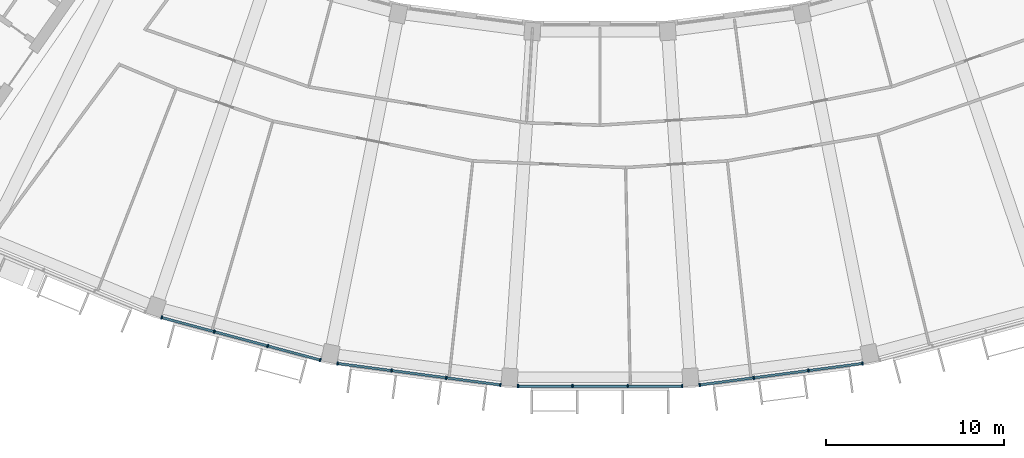
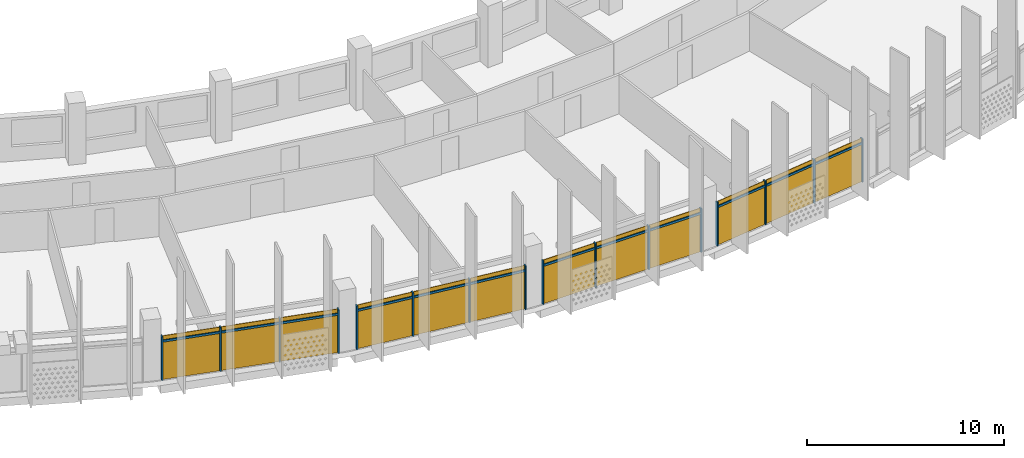
# One storey, part 19 of 28: 28 members, 4 curtain walls.
"""IFC4 building model written with IfcOpenShell, lengths in metres."""

import ifcopenshell
import ifcopenshell.guid

model = None  # the IFC model being written
_history = None  # IfcOwnerHistory: only IFC2X3 demands one
_inside = {}  # id of a spatial element -> (the spatial element, [elements in it])
_under = {}  # id of a project, library or spatial element -> (it, [spatial elements below it])
_declared = {}  # id of a project -> (the project, [libraries it declares])
_typed = {}  # id of a type object -> (the type object, [elements of that type])
_made_of = {}  # id of a material, layer set ... -> (it, [elements and type objects made of it])


def new_model(schema):
    """Start an empty IFC model of exactly this schema.

    Asked for "IFC4X3", IfcOpenShell would pick the latest addendum, in which some entities
    have other attributes; the version numbers below select the first issue.
    IFC2X3 requires an IfcOwnerHistory on every rooted entity: one is made here for all.
    """
    global model, _history
    if schema == "IFC4X3":
        model = ifcopenshell.file(schema_version=(4, 3, 0, 0))
    else:
        model = ifcopenshell.file(schema=schema)
    _inside.clear()
    _under.clear()
    _declared.clear()
    _typed.clear()
    _made_of.clear()
    _history = None
    if model.schema == "IFC2X3":
        org = make("IfcOrganization", Name="unknown")
        user = make(
            "IfcPersonAndOrganization",
            ThePerson=make("IfcPerson", FamilyName="unknown"),
            TheOrganization=org,
        )
        app = make(
            "IfcApplication",
            ApplicationDeveloper=org,
            Version="unknown",
            ApplicationFullName="unknown",
            ApplicationIdentifier="unknown",
        )
        _history = make(
            "IfcOwnerHistory",
            OwningUser=user,
            OwningApplication=app,
            ChangeAction="ADDED",
            CreationDate=0,
        )
    return model


def make(cls, **values):
    """One entity of the class cls with the attributes given. An attribute that is None is left unset."""
    return model.create_entity(
        cls, **{name: value for name, value in values.items() if value is not None}
    )


def rooted(cls, **values):
    """An entity with a GlobalId (a new one), such as an element, a storey or a relation."""
    return make(cls, GlobalId=ifcopenshell.guid.new(), OwnerHistory=_history, **values)


def si_unit(unit_type, name, prefix=None):
    """IfcSIUnit, for example si_unit("LENGTHUNIT", "METRE", prefix="MILLI")."""
    return make("IfcSIUnit", UnitType=unit_type, Prefix=prefix, Name=name)


def assignment(units):
    """IfcUnitAssignment: the units of a project."""
    return None if units is None else make("IfcUnitAssignment", Units=units)


def point(xyz):
    """IfcCartesianPoint."""
    return None if xyz is None else make("IfcCartesianPoint", Coordinates=xyz)


def direction(xyz):
    """IfcDirection."""
    return None if xyz is None else make("IfcDirection", DirectionRatios=xyz)


def frame(location, z_axis=None, x_axis=None):
    """IfcAxis2Placement3D, a coordinate frame: its origin and axes. An axis left out is left unset."""
    return make(
        "IfcAxis2Placement3D",
        Location=point(location),
        Axis=direction(z_axis),
        RefDirection=direction(x_axis),
    )


def frame_2d(location, x_axis=None):
    """IfcAxis2Placement2D, a coordinate frame in the plane: its origin and x axis."""
    return make(
        "IfcAxis2Placement2D", Location=point(location), RefDirection=direction(x_axis)
    )


def origin():
    """The frame at (0, 0, 0) with its axes left unset."""
    return frame((0.0, 0.0, 0.0))


def origin_2d():
    """The frame at (0, 0) in the plane with its x axis left unset."""
    return frame_2d((0.0, 0.0))


def place(relative_to, where):
    """IfcLocalPlacement: puts the frame where relative to a parent placement (None: the world)."""
    return make(
        "IfcLocalPlacement", PlacementRelTo=relative_to, RelativePlacement=where
    )


def context(
    kind, dimensions, precision=None, world=None, true_north=None, identifier=None
):
    """IfcGeometricRepresentationContext, for example the 3D "Model" context."""
    return make(
        "IfcGeometricRepresentationContext",
        ContextIdentifier=identifier,
        ContextType=kind,
        CoordinateSpaceDimension=dimensions,
        Precision=precision,
        WorldCoordinateSystem=world,
        TrueNorth=true_north,
    )


def subcontext(parent, identifier, kind, view, scale=None):
    """IfcGeometricRepresentationSubContext, for example "Body" below "Model"."""
    return make(
        "IfcGeometricRepresentationSubContext",
        ContextIdentifier=identifier,
        ContextType=kind,
        ParentContext=parent,
        TargetScale=scale,
        TargetView=view,
    )


def project(units=None, contexts=None):
    """IfcProject with its units and contexts."""
    return rooted(
        "IfcProject",
        Name="project",
        RepresentationContexts=contexts,
        UnitsInContext=assignment(units),
    )


def spatial(cls, under=None, at=None, **own):
    """A site, building, storey or space (cls), placed at a placement, below another one or the project."""
    s = rooted(cls, ObjectPlacement=at, **own)
    if under is not None:
        _under.setdefault(under.id(), (under, []))[1].append(s)
    return s


def profile(cls, at=None, kind="AREA", **sizes):
    """A parametric profile (cls). Its sizes go by their IFC names, for example OverallWidth=200.0."""
    return make(cls, ProfileType=kind, Position=at, **sizes)


def rectangle(**sizes):
    """IfcRectangleProfileDef."""
    return profile("IfcRectangleProfileDef", **sizes)


def extrude(swept, where, along, depth):
    """IfcExtrudedAreaSolid: the profile swept, set in the frame where, extruded along a direction by depth."""
    return make(
        "IfcExtrudedAreaSolid",
        SweptArea=swept,
        Position=where,
        ExtrudedDirection=direction(along),
        Depth=depth,
    )


def shape(context_of_items, identifier, shape_type, items):
    """IfcShapeRepresentation: the items that make up one representation, for example the "Body"."""
    return make(
        "IfcShapeRepresentation",
        ContextOfItems=context_of_items,
        RepresentationIdentifier=identifier,
        RepresentationType=shape_type,
        Items=items,
    )


def material(Name=None, Category=None):
    """IfcMaterial."""
    return make("IfcMaterial", Name=Name, Category=Category)


def material_profile(
    of_material, cross_section, Name=None, Category=None, Priority=None
):
    """IfcMaterialProfile: a cross section and its material."""
    return make(
        "IfcMaterialProfile",
        Name=Name,
        Material=of_material,
        Profile=cross_section,
        Priority=Priority,
        Category=Category,
    )


def profile_set(profiles, Name=None, composite=None):
    """IfcMaterialProfileSet."""
    return make(
        "IfcMaterialProfileSet",
        Name=Name,
        MaterialProfiles=profiles,
        CompositeProfile=composite,
    )


def made_of(thing, what):
    """Note that an element or type object is made of a material, layer set ...; save() writes the relation."""
    if what is not None:
        _made_of.setdefault(what.id(), (what, []))[1].append(thing)
    return thing


def type_object(cls, material=None, **own):
    """A type object (cls), such as IfcWallType, which elements share."""
    return made_of(rooted(cls, **own), material)


def element(
    cls,
    number,
    at=None,
    inside=None,
    cuts=None,
    type_object=None,
    material=None,
    context=None,
    identifier="Body",
    shape_type=None,
    held_by="IfcProductDefinitionShape",
    body=None,
    shapes=None,
    **own,
):
    """One element of the class cls, such as IfcWall. Its Tag is "e" and its number.

    at: its placement. inside: the storey or other place that contains it. cuts: it is an
    opening in that element (IfcRelVoidsElement). A single representation is given by context,
    identifier, shape_type and body (its items); several are given by shapes. held_by: the class
    of the entity that holds the representations. save() writes the other relations.
    """
    e = rooted(cls, Tag="e%d" % number, ObjectPlacement=at, **own)
    if body is not None:
        shapes = [shape(context, identifier, shape_type, body)]
    if shapes is not None:
        e.Representation = make(held_by, Representations=shapes)
    if inside is not None:
        _inside.setdefault(inside.id(), (inside, []))[1].append(e)
    if cuts is not None:
        rooted(
            "IfcRelVoidsElement", RelatingBuildingElement=cuts, RelatedOpeningElement=e
        )
    if type_object is not None:
        _typed.setdefault(type_object.id(), (type_object, []))[1].append(e)
    return made_of(e, material)


def aggregate(whole, parts):
    """IfcRelAggregates: a whole, such as a stair, and the parts it consists of."""
    return rooted("IfcRelAggregates", RelatingObject=whole, RelatedObjects=parts)


def save(model, path):
    """Write the relations noted so far, then the file.

    IfcRelAggregates (storeys below a building ...), IfcRelContainedInSpatialStructure (elements
    in a storey), IfcRelDefinesByType, IfcRelAssociatesMaterial and IfcRelDeclares: one each for
    every whole, place, type object, material and project.
    """
    for whole, parts in _under.values():
        aggregate(whole, parts)
    for where, things in _inside.values():
        rooted(
            "IfcRelContainedInSpatialStructure",
            RelatedElements=things,
            RelatingStructure=where,
        )
    for kind, things in _typed.values():
        rooted("IfcRelDefinesByType", RelatedObjects=things, RelatingType=kind)
    for what, things in _made_of.values():
        rooted("IfcRelAssociatesMaterial", RelatedObjects=things, RelatingMaterial=what)
    for by, libraries in _declared.values():
        rooted("IfcRelDeclares", RelatingContext=by, RelatedDefinitions=libraries)
    model.write(path)


model = new_model("IFC4")

# Units and contexts
model_context = context("Model", 3, precision=1e-05, world=origin(), true_north=direction((0.0, 1.0)))
body_context = subcontext(model_context, "Body", "Model", "MODEL_VIEW")
ifc_project = project(units=[si_unit("LENGTHUNIT", "METRE"), si_unit("AREAUNIT", "SQUARE_METRE"), si_unit("VOLUMEUNIT", "CUBIC_METRE"), si_unit("PLANEANGLEUNIT", "RADIAN"), si_unit("MASSUNIT", "GRAM", prefix="KILO")], contexts=[model_context])

# Member
ifc_material = material(Name="Aluminium 6063-T6 anodised", Category="aluminium")
ifc_material_profile_1 = material_profile(ifc_material, rectangle(XDim=0.199951171875, YDim=0.070068359375, at=origin_2d()))
ifc_profile_set_1 = profile_set([ifc_material_profile_1], Name="Aluminium 6063-T6 anodised")
member_type_1 = type_object("IfcMemberType", Name="Mullion 70 x 200 aluminium", PredefinedType="MULLION", material=ifc_profile_set_1)
site_placement = place(None, origin())
building_placement = place(site_placement, origin())
storey_placement = place(building_placement, frame((0.0, 0.0, 265.699951171875)))
member_1_placement = place(storey_placement, frame((-24.676025390625, -74.224853515625, 0.0), z_axis=(0.0, 0.0, 1.0), x_axis=(0.258819045103, 0.965925826289, 0.0)))
member_1 = element("IfcMember", 1, at=member_1_placement, type_object=member_type_1, Name="e-cw1-L64-out05/M00", PredefinedType="MULLION", context=body_context, shape_type="SweptSolid", body=[
    extrude(rectangle(XDim=0.199951171875, YDim=0.070068359375, at=origin_2d()), origin(), (0.0, 0.0, 1.0), 2.699951171875),
])

member_2_placement = place(storey_placement, frame((-21.70947265625, -75.019775390625, 0.0), z_axis=(0.0, 0.0, 1.0), x_axis=(0.258819045103, 0.965925826289, 0.0)))
member_2 = element("IfcMember", 2, at=member_2_placement, type_object=member_type_1, Name="e-cw1-L64-out05/M01", PredefinedType="MULLION", context=body_context, shape_type="SweptSolid", body=[
    extrude(rectangle(XDim=0.199951171875, YDim=0.070068359375, at=origin_2d()), origin(), (0.0, 0.0, 1.0), 2.699951171875),
])

member_3_placement = place(storey_placement, frame((-18.708984375, -75.82373046875, 0.0), z_axis=(0.0, 0.0, 1.0), x_axis=(0.258819045103, 0.965925826289, 0.0)))
member_3 = element("IfcMember", 3, at=member_3_placement, type_object=member_type_1, Name="e-cw1-L64-out05/M02", PredefinedType="MULLION", context=body_context, shape_type="SweptSolid", body=[
    extrude(rectangle(XDim=0.199951171875, YDim=0.070068359375, at=origin_2d()), origin(), (0.0, 0.0, 1.0), 2.699951171875),
])

member_4_placement = place(storey_placement, frame((-15.742431640625, -76.618408203125, 0.0), z_axis=(0.0, 0.0, 1.0), x_axis=(0.258819045103, 0.965925826289, 0.0)))
member_4 = element("IfcMember", 4, at=member_4_placement, type_object=member_type_1, Name="e-cw1-L64-out05/M03", PredefinedType="MULLION", context=body_context, shape_type="SweptSolid", body=[
    extrude(rectangle(XDim=0.199951171875, YDim=0.070068359375, at=origin_2d()), origin(), (0.0, 0.0, 1.0), 2.699951171875),
])

member_5_placement = place(storey_placement, frame((-14.776611328125, -76.810546875, 0.0), z_axis=(0.0, 0.0, 1.0), x_axis=(0.13052619222, 0.991444861374, 0.0)))
member_5 = element("IfcMember", 5, at=member_5_placement, type_object=member_type_1, Name="e-cw1-L64-out06/M00", PredefinedType="MULLION", context=body_context, shape_type="SweptSolid", body=[
    extrude(rectangle(XDim=0.199951171875, YDim=0.070068359375, at=origin_2d()), origin(), (0.0, 0.0, 1.0), 2.699951171875),
])

member_6_placement = place(storey_placement, frame((-11.731689453125, -77.21142578125, 0.0), z_axis=(0.0, 0.0, 1.0), x_axis=(0.13052619222, 0.991444861374, 0.0)))
member_6 = element("IfcMember", 6, at=member_6_placement, type_object=member_type_1, Name="e-cw1-L64-out06/M01", PredefinedType="MULLION", context=body_context, shape_type="SweptSolid", body=[
    extrude(rectangle(XDim=0.199951171875, YDim=0.070068359375, at=origin_2d()), origin(), (0.0, 0.0, 1.0), 2.699951171875),
])

member_7_placement = place(storey_placement, frame((-8.65185546875, -77.616943359375, 0.0), z_axis=(0.0, 0.0, 1.0), x_axis=(0.13052619222, 0.991444861374, 0.0)))
member_7 = element("IfcMember", 7, at=member_7_placement, type_object=member_type_1, Name="e-cw1-L64-out06/M02", PredefinedType="MULLION", context=body_context, shape_type="SweptSolid", body=[
    extrude(rectangle(XDim=0.199951171875, YDim=0.070068359375, at=origin_2d()), origin(), (0.0, 0.0, 1.0), 2.699951171875),
])

member_8_placement = place(storey_placement, frame((-5.60693359375, -78.017822265625, 0.0), z_axis=(0.0, 0.0, 1.0), x_axis=(0.13052619222, 0.991444861374, 0.0)))
member_8 = element("IfcMember", 8, at=member_8_placement, type_object=member_type_1, Name="e-cw1-L64-out06/M03", PredefinedType="MULLION", context=body_context, shape_type="SweptSolid", body=[
    extrude(rectangle(XDim=0.199951171875, YDim=0.070068359375, at=origin_2d()), origin(), (0.0, 0.0, 1.0), 2.699951171875),
])

member_9_placement = place(storey_placement, frame((-4.624267578125, -78.082275390625, 0.0), z_axis=(0.0, 0.0, 1.0), x_axis=(0.0, 1.0, 0.0)))
member_9 = element("IfcMember", 9, at=member_9_placement, type_object=member_type_1, Name="e-cw1-L64-out07/M00", PredefinedType="MULLION", context=body_context, shape_type="SweptSolid", body=[
    extrude(rectangle(XDim=0.199951171875, YDim=0.070068359375, at=origin_2d()), origin(), (0.0, 0.0, 1.0), 2.699951171875),
])

member_10_placement = place(storey_placement, frame((-1.55322265625, -78.082275390625, 0.0), z_axis=(0.0, 0.0, 1.0), x_axis=(0.0, 1.0, 0.0)))
member_10 = element("IfcMember", 10, at=member_10_placement, type_object=member_type_1, Name="e-cw1-L64-out07/M01", PredefinedType="MULLION", context=body_context, shape_type="SweptSolid", body=[
    extrude(rectangle(XDim=0.199951171875, YDim=0.070068359375, at=origin_2d()), origin(), (0.0, 0.0, 1.0), 2.699951171875),
])

member_11_placement = place(storey_placement, frame((1.55322265625, -78.082275390625, 0.0), z_axis=(0.0, 0.0, 1.0), x_axis=(0.0, 1.0, 0.0)))
member_11 = element("IfcMember", 11, at=member_11_placement, type_object=member_type_1, Name="e-cw1-L64-out07/M02", PredefinedType="MULLION", context=body_context, shape_type="SweptSolid", body=[
    extrude(rectangle(XDim=0.199951171875, YDim=0.070068359375, at=origin_2d()), origin(), (0.0, 0.0, 1.0), 2.699951171875),
])

member_12_placement = place(storey_placement, frame((4.624267578125, -78.082275390625, 0.0), z_axis=(0.0, 0.0, 1.0), x_axis=(0.0, 1.0, 0.0)))
member_12 = element("IfcMember", 12, at=member_12_placement, type_object=member_type_1, Name="e-cw1-L64-out07/M03", PredefinedType="MULLION", context=body_context, shape_type="SweptSolid", body=[
    extrude(rectangle(XDim=0.199951171875, YDim=0.070068359375, at=origin_2d()), origin(), (0.0, 0.0, 1.0), 2.699951171875),
])

member_13_placement = place(storey_placement, frame((5.60693359375, -78.017822265625, 0.0), z_axis=(0.0, 0.0, 1.0), x_axis=(-0.13052619222, 0.991444861374, 0.0)))
member_13 = element("IfcMember", 13, at=member_13_placement, type_object=member_type_1, Name="e-cw1-L64-out08/M00", PredefinedType="MULLION", context=body_context, shape_type="SweptSolid", body=[
    extrude(rectangle(XDim=0.199951171875, YDim=0.070068359375, at=origin_2d()), origin(), (0.0, 0.0, 1.0), 2.699951171875),
])

member_14_placement = place(storey_placement, frame((8.65185546875, -77.616943359375, 0.0), z_axis=(0.0, 0.0, 1.0), x_axis=(-0.13052619222, 0.991444861374, 0.0)))
member_14 = element("IfcMember", 14, at=member_14_placement, type_object=member_type_1, Name="e-cw1-L64-out08/M01", PredefinedType="MULLION", context=body_context, shape_type="SweptSolid", body=[
    extrude(rectangle(XDim=0.199951171875, YDim=0.070068359375, at=origin_2d()), origin(), (0.0, 0.0, 1.0), 2.699951171875),
])

member_15_placement = place(storey_placement, frame((11.731689453125, -77.21142578125, 0.0), z_axis=(0.0, 0.0, 1.0), x_axis=(-0.13052619222, 0.991444861374, 0.0)))
member_15 = element("IfcMember", 15, at=member_15_placement, type_object=member_type_1, Name="e-cw1-L64-out08/M02", PredefinedType="MULLION", context=body_context, shape_type="SweptSolid", body=[
    extrude(rectangle(XDim=0.199951171875, YDim=0.070068359375, at=origin_2d()), origin(), (0.0, 0.0, 1.0), 2.699951171875),
])

member_16_placement = place(storey_placement, frame((14.776611328125, -76.810546875, 0.0), z_axis=(0.0, 0.0, 1.0), x_axis=(-0.13052619222, 0.991444861374, 0.0)))
member_16 = element("IfcMember", 16, at=member_16_placement, type_object=member_type_1, Name="e-cw1-L64-out08/M03", PredefinedType="MULLION", context=body_context, shape_type="SweptSolid", body=[
    extrude(rectangle(XDim=0.199951171875, YDim=0.070068359375, at=origin_2d()), origin(), (0.0, 0.0, 1.0), 2.699951171875),
])

ifc_material_profile_2 = material_profile(ifc_material, rectangle(XDim=0.139892578125, YDim=0.1201171875, at=origin_2d()))
ifc_profile_set_2 = profile_set([ifc_material_profile_2], Name="Aluminium 6063-T6 anodised")
member_type_2 = type_object("IfcMemberType", Name="Transom 120 x 140 aluminium", PredefinedType="USERDEFINED", material=ifc_profile_set_2)
member_17_placement = place(storey_placement, frame((-24.64208984375, -74.23388671875, 2.400146484375), z_axis=(0.965918275034, -0.258847225127, 0.0), x_axis=(0.258847225127, 0.965918275034, 0.0)))
member_17 = element("IfcMember", 17, at=member_17_placement, type_object=member_type_2, Name="e-cw1-L64-out05/T00", ObjectType="TRANSOM", PredefinedType="USERDEFINED", context=body_context, shape_type="SweptSolid", body=[
    extrude(rectangle(XDim=0.139892578125, YDim=0.1201171875, at=origin_2d()), origin(), (0.0, 0.0, 1.0), 3.001220703125),
])

member_18_placement = place(storey_placement, frame((-21.675537109375, -75.02880859375, 2.400146484375), z_axis=(0.965943386189, -0.258753501769, 0.0), x_axis=(0.258753501769, 0.965943386189, 0.0)))
member_18 = element("IfcMember", 18, at=member_18_placement, type_object=member_type_2, Name="e-cw1-L64-out05/T01", ObjectType="TRANSOM", PredefinedType="USERDEFINED", context=body_context, shape_type="SweptSolid", body=[
    extrude(rectangle(XDim=0.139892578125, YDim=0.1201171875, at=origin_2d()), origin(), (0.0, 0.0, 1.0), 3.036376953125),
])

member_19_placement = place(storey_placement, frame((-18.67529296875, -75.832763671875, 2.400146484375), z_axis=(0.965944058071, -0.258750993577, 0.0), x_axis=(0.258750993577, 0.965944058071, 0.0)))
member_19 = element("IfcMember", 19, at=member_19_placement, type_object=member_type_2, Name="e-cw1-L64-out05/T02", ObjectType="TRANSOM", PredefinedType="USERDEFINED", context=body_context, shape_type="SweptSolid", body=[
    extrude(rectangle(XDim=0.139892578125, YDim=0.1201171875, at=origin_2d()), origin(), (0.0, 0.0, 1.0), 3.00146484375),
])

member_20_placement = place(storey_placement, frame((-14.741943359375, -76.815185546875, 2.400146484375), z_axis=(0.991440446253, -0.13055972401, 0.0), x_axis=(0.13055972401, 0.991440446253, 0.0)))
member_20 = element("IfcMember", 20, at=member_20_placement, type_object=member_type_2, Name="e-cw1-L64-out06/T00", ObjectType="TRANSOM", PredefinedType="USERDEFINED", context=body_context, shape_type="SweptSolid", body=[
    extrude(rectangle(XDim=0.139892578125, YDim=0.1201171875, at=origin_2d()), origin(), (0.0, 0.0, 1.0), 3.001220703125),
])

member_21_placement = place(storey_placement, frame((-11.697021484375, -77.216064453125, 2.400146484375), z_axis=(0.991447725786, -0.130504433005, 0.0), x_axis=(0.130504433005, 0.991447725786, 0.0)))
member_21 = element("IfcMember", 21, at=member_21_placement, type_object=member_type_2, Name="e-cw1-L64-out06/T01", ObjectType="TRANSOM", PredefinedType="USERDEFINED", context=body_context, shape_type="SweptSolid", body=[
    extrude(rectangle(XDim=0.139892578125, YDim=0.1201171875, at=origin_2d()), origin(), (0.0, 0.0, 1.0), 3.0361328125),
])

member_22_placement = place(storey_placement, frame((-8.6171875, -77.62158203125, 2.400146484375), z_axis=(0.991450972696, -0.130479763719, 0.0), x_axis=(0.130479763719, 0.991450972696, 0.0)))
member_22 = element("IfcMember", 22, at=member_22_placement, type_object=member_type_2, Name="e-cw1-L64-out06/T02", ObjectType="TRANSOM", PredefinedType="USERDEFINED", context=body_context, shape_type="SweptSolid", body=[
    extrude(rectangle(XDim=0.139892578125, YDim=0.1201171875, at=origin_2d()), origin(), (0.0, 0.0, 1.0), 3.001220703125),
])

member_23_placement = place(storey_placement, frame((-4.58935546875, -78.082275390625, 2.400146484375), z_axis=(1.0, 0.0, 0.0), x_axis=(0.0, 1.0, 0.0)))
member_23 = element("IfcMember", 23, at=member_23_placement, type_object=member_type_2, Name="e-cw1-L64-out07/T00", ObjectType="TRANSOM", PredefinedType="USERDEFINED", context=body_context, shape_type="SweptSolid", body=[
    extrude(rectangle(XDim=0.139892578125, YDim=0.1201171875, at=origin_2d()), origin(), (0.0, 0.0, 1.0), 3.001220703125),
])

member_24_placement = place(storey_placement, frame((-1.51806640625, -78.082275390625, 2.400146484375), z_axis=(1.0, 0.0, 0.0), x_axis=(0.0, 1.0, 0.0)))
member_24 = element("IfcMember", 24, at=member_24_placement, type_object=member_type_2, Name="e-cw1-L64-out07/T01", ObjectType="TRANSOM", PredefinedType="USERDEFINED", context=body_context, shape_type="SweptSolid", body=[
    extrude(rectangle(XDim=0.139892578125, YDim=0.1201171875, at=origin_2d()), origin(), (0.0, 0.0, 1.0), 3.0361328125),
])

member_25_placement = place(storey_placement, frame((1.588134765625, -78.082275390625, 2.400146484375), z_axis=(1.0, 0.0, 0.0), x_axis=(0.0, 1.0, 0.0)))
member_25 = element("IfcMember", 25, at=member_25_placement, type_object=member_type_2, Name="e-cw1-L64-out07/T02", ObjectType="TRANSOM", PredefinedType="USERDEFINED", context=body_context, shape_type="SweptSolid", body=[
    extrude(rectangle(XDim=0.139892578125, YDim=0.1201171875, at=origin_2d()), origin(), (0.0, 0.0, 1.0), 3.001220703125),
])

member_26_placement = place(storey_placement, frame((5.6416015625, -78.01318359375, 2.400146484375), z_axis=(0.991450972696, 0.130479763719, 0.0), x_axis=(-0.130479763719, 0.991450972696, 0.0)))
member_26 = element("IfcMember", 26, at=member_26_placement, type_object=member_type_2, Name="e-cw1-L64-out08/T00", ObjectType="TRANSOM", PredefinedType="USERDEFINED", context=body_context, shape_type="SweptSolid", body=[
    extrude(rectangle(XDim=0.139892578125, YDim=0.1201171875, at=origin_2d()), origin(), (0.0, 0.0, 1.0), 3.001220703125),
])

member_27_placement = place(storey_placement, frame((8.686767578125, -77.6123046875, 2.400146484375), z_axis=(0.991447725786, 0.130504433005, 0.0), x_axis=(-0.130504433005, 0.991447725786, 0.0)))
member_27 = element("IfcMember", 27, at=member_27_placement, type_object=member_type_2, Name="e-cw1-L64-out08/T01", ObjectType="TRANSOM", PredefinedType="USERDEFINED", context=body_context, shape_type="SweptSolid", body=[
    extrude(rectangle(XDim=0.139892578125, YDim=0.1201171875, at=origin_2d()), origin(), (0.0, 0.0, 1.0), 3.0361328125),
])

member_28_placement = place(storey_placement, frame((11.766357421875, -77.20703125, 2.400146484375), z_axis=(0.991440446253, 0.13055972401, 0.0), x_axis=(-0.13055972401, 0.991440446253, 0.0)))
member_28 = element("IfcMember", 28, at=member_28_placement, type_object=member_type_2, Name="e-cw1-L64-out08/T02", ObjectType="TRANSOM", PredefinedType="USERDEFINED", context=body_context, shape_type="SweptSolid", body=[
    extrude(rectangle(XDim=0.139892578125, YDim=0.1201171875, at=origin_2d()), origin(), (0.0, 0.0, 1.0), 3.001220703125),
])

# Site, building, storey
site = spatial("IfcSite", under=ifc_project, at=site_placement, CompositionType="ELEMENT")
building = spatial("IfcBuilding", under=site, at=building_placement, Name="Qamariyya Broadcast Tower", CompositionType="ELEMENT")
storey = spatial("IfcBuildingStorey", under=building, at=storey_placement, Name="L64", CompositionType="ELEMENT", Elevation=265.699951171875)

# Curtain wall
curtain_wall_type = type_object("IfcCurtainWallType", Name="Unitised curtain wall, anodised aluminium", PredefinedType="NOTDEFINED", material=ifc_material)
curtain_wall_1_placement = place(storey_placement, origin())
curtain_wall_1 = element("IfcCurtainWall", 29, at=curtain_wall_1_placement, inside=storey, type_object=curtain_wall_type, Name="e-cw1-L64-out05", PredefinedType="NOTDEFINED", context=body_context, shape_type="SweptSolid", body=[
    extrude(rectangle(XDim=3.001220703125, YDim=0.031982421875, at=origin_2d()), frame((-23.192626953125, -74.622314453125, 0.0), x_axis=(0.965925949265, -0.258818586151, 0.0)), (0.0, 0.0, 1.0), 2.340087890625),
    extrude(rectangle(XDim=3.001220703125, YDim=0.031982421875, at=origin_2d()), frame((-23.192626953125, -74.622314453125, 2.4599609375), x_axis=(0.965925949265, -0.258818586151, 0.0)), (0.0, 0.0, 1.0), 0.239990234375),
    extrude(rectangle(XDim=3.0361328125, YDim=0.031982421875, at=origin_2d()), frame((-20.208984375, -75.421875, 0.0), x_axis=(0.965925949265, -0.258818586151, 0.0)), (0.0, 0.0, 1.0), 2.340087890625),
    extrude(rectangle(XDim=3.0361328125, YDim=0.031982421875, at=origin_2d()), frame((-20.208984375, -75.421875, 2.4599609375), x_axis=(0.965925949265, -0.258818586151, 0.0)), (0.0, 0.0, 1.0), 0.239990234375),
    extrude(rectangle(XDim=3.001220703125, YDim=0.031982421875, at=origin_2d()), frame((-17.2255859375, -76.22119140625, 0.0), x_axis=(0.965925949265, -0.258818586151, 0.0)), (0.0, 0.0, 1.0), 2.340087890625),
    extrude(rectangle(XDim=3.001220703125, YDim=0.031982421875, at=origin_2d()), frame((-17.2255859375, -76.22119140625, 2.4599609375), x_axis=(0.965925949265, -0.258818586151, 0.0)), (0.0, 0.0, 1.0), 0.239990234375),
])

aggregate(curtain_wall_1, [member_1, member_2, member_3, member_4, member_17, member_18, member_19])

curtain_wall_2_placement = place(storey_placement, origin())
curtain_wall_2 = element("IfcCurtainWall", 30, at=curtain_wall_2_placement, inside=storey, type_object=curtain_wall_type, Name="e-cw1-L64-out06", PredefinedType="NOTDEFINED", context=body_context, shape_type="SweptSolid", body=[
    extrude(rectangle(XDim=3.001220703125, YDim=0.031982421875, at=origin_2d()), frame((-13.254150390625, -77.01123046875, 0.0), x_axis=(0.991445286748, -0.130522961144, 0.0)), (0.0, 0.0, 1.0), 2.340087890625),
    extrude(rectangle(XDim=3.001220703125, YDim=0.031982421875, at=origin_2d()), frame((-13.254150390625, -77.01123046875, 2.4599609375), x_axis=(0.991445286748, -0.130522961144, 0.0)), (0.0, 0.0, 1.0), 0.239990234375),
    extrude(rectangle(XDim=3.0361328125, YDim=0.031982421875, at=origin_2d()), frame((-10.19189453125, -77.414306640625, 0.0), x_axis=(0.991445286748, -0.130522961144, 0.0)), (0.0, 0.0, 1.0), 2.340087890625),
    extrude(rectangle(XDim=3.0361328125, YDim=0.031982421875, at=origin_2d()), frame((-10.19189453125, -77.414306640625, 2.4599609375), x_axis=(0.991445286748, -0.130522961144, 0.0)), (0.0, 0.0, 1.0), 0.239990234375),
    extrude(rectangle(XDim=3.001220703125, YDim=0.031982421875, at=origin_2d()), frame((-7.12939453125, -77.8173828125, 0.0), x_axis=(0.991445286748, -0.130522961144, 0.0)), (0.0, 0.0, 1.0), 2.340087890625),
    extrude(rectangle(XDim=3.001220703125, YDim=0.031982421875, at=origin_2d()), frame((-7.12939453125, -77.8173828125, 2.4599609375), x_axis=(0.991445286748, -0.130522961144, 0.0)), (0.0, 0.0, 1.0), 0.239990234375),
])

aggregate(curtain_wall_2, [member_5, member_6, member_7, member_8, member_20, member_21, member_22])

curtain_wall_3_placement = place(storey_placement, origin())
curtain_wall_3 = element("IfcCurtainWall", 31, at=curtain_wall_3_placement, inside=storey, type_object=curtain_wall_type, Name="e-cw1-L64-out07", PredefinedType="NOTDEFINED", context=body_context, shape_type="SweptSolid", body=[
    extrude(rectangle(XDim=3.001220703125, YDim=0.031982421875, at=origin_2d()), frame((-3.0888671875, -78.082275390625, 0.0), x_axis=(1.0, 0.0, 0.0)), (0.0, 0.0, 1.0), 2.340087890625),
    extrude(rectangle(XDim=3.001220703125, YDim=0.031982421875, at=origin_2d()), frame((-3.0888671875, -78.082275390625, 2.4599609375), x_axis=(1.0, 0.0, 0.0)), (0.0, 0.0, 1.0), 0.239990234375),
    extrude(rectangle(XDim=3.036376953125, YDim=0.031982421875, at=origin_2d()), frame((0.0, -78.082275390625, 0.0), x_axis=(1.0, 0.0, 0.0)), (0.0, 0.0, 1.0), 2.340087890625),
    extrude(rectangle(XDim=3.036376953125, YDim=0.031982421875, at=origin_2d()), frame((0.0, -78.082275390625, 2.4599609375), x_axis=(1.0, 0.0, 0.0)), (0.0, 0.0, 1.0), 0.239990234375),
    extrude(rectangle(XDim=3.001220703125, YDim=0.031982421875, at=origin_2d()), frame((3.0888671875, -78.082275390625, 0.0), x_axis=(1.0, 0.0, 0.0)), (0.0, 0.0, 1.0), 2.340087890625),
    extrude(rectangle(XDim=3.001220703125, YDim=0.031982421875, at=origin_2d()), frame((3.0888671875, -78.082275390625, 2.4599609375), x_axis=(1.0, 0.0, 0.0)), (0.0, 0.0, 1.0), 0.239990234375),
])

aggregate(curtain_wall_3, [member_9, member_10, member_11, member_12, member_23, member_24, member_25])

curtain_wall_4_placement = place(storey_placement, origin())
curtain_wall_4 = element("IfcCurtainWall", 32, at=curtain_wall_4_placement, inside=storey, type_object=curtain_wall_type, Name="e-cw1-L64-out08", PredefinedType="NOTDEFINED", context=body_context, shape_type="SweptSolid", body=[
    extrude(rectangle(XDim=3.001220703125, YDim=0.031982421875, at=origin_2d()), frame((7.12939453125, -77.8173828125, 0.0), x_axis=(0.991445286748, 0.130522961144, 0.0)), (0.0, 0.0, 1.0), 2.340087890625),
    extrude(rectangle(XDim=3.001220703125, YDim=0.031982421875, at=origin_2d()), frame((7.12939453125, -77.8173828125, 2.4599609375), x_axis=(0.991445286748, 0.130522961144, 0.0)), (0.0, 0.0, 1.0), 0.239990234375),
    extrude(rectangle(XDim=3.0361328125, YDim=0.031982421875, at=origin_2d()), frame((10.19189453125, -77.414306640625, 0.0), x_axis=(0.991445286748, 0.130522961144, 0.0)), (0.0, 0.0, 1.0), 2.340087890625),
    extrude(rectangle(XDim=3.0361328125, YDim=0.031982421875, at=origin_2d()), frame((10.19189453125, -77.414306640625, 2.4599609375), x_axis=(0.991445286748, 0.130522961144, 0.0)), (0.0, 0.0, 1.0), 0.239990234375),
    extrude(rectangle(XDim=3.001220703125, YDim=0.031982421875, at=origin_2d()), frame((13.254150390625, -77.01123046875, 0.0), x_axis=(0.991445286748, 0.130522961144, 0.0)), (0.0, 0.0, 1.0), 2.340087890625),
    extrude(rectangle(XDim=3.001220703125, YDim=0.031982421875, at=origin_2d()), frame((13.254150390625, -77.01123046875, 2.4599609375), x_axis=(0.991445286748, 0.130522961144, 0.0)), (0.0, 0.0, 1.0), 0.239990234375),
])

aggregate(curtain_wall_4, [member_13, member_14, member_15, member_16, member_26, member_27, member_28])

save(model, "model.ifc")
